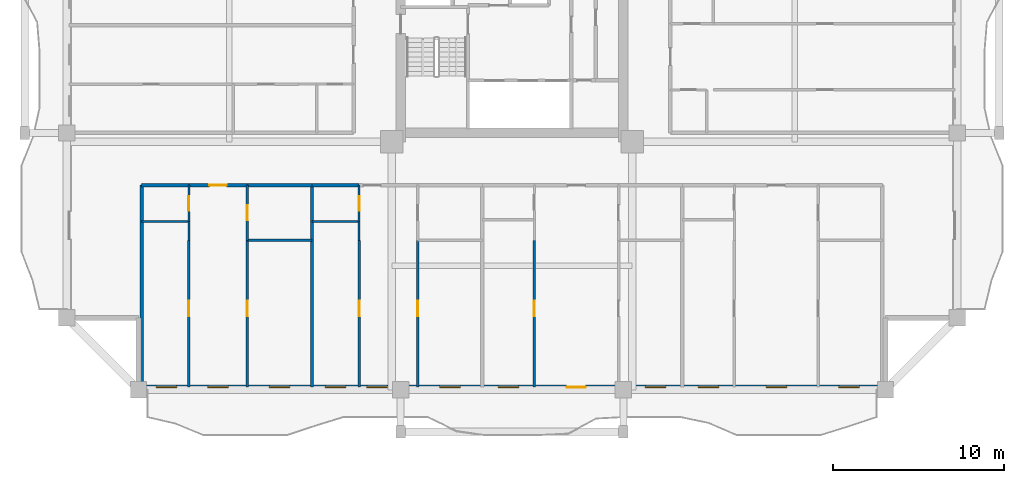
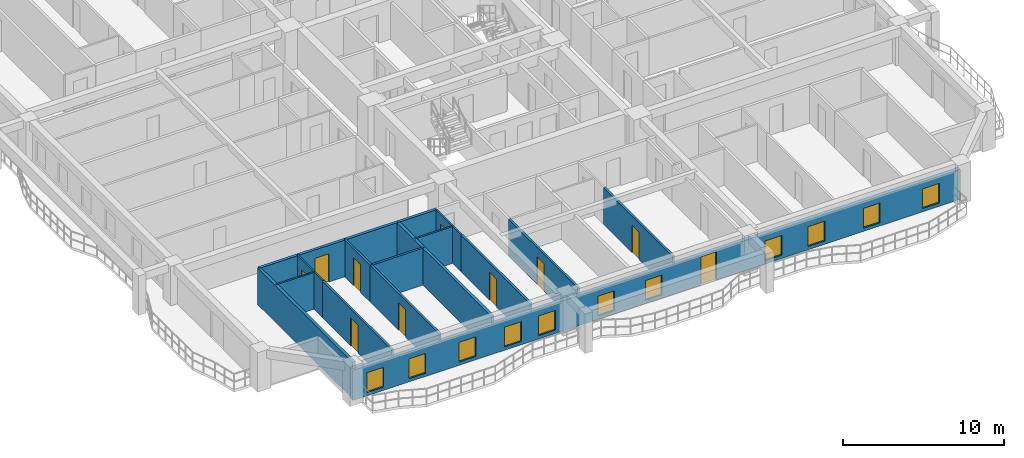
# One storey, part 2 of 14: 20 walls, 11 windows, 10 doors, 21 openings.
"""IFC4 building model written with IfcOpenShell, lengths in metres."""

from ifc_helpers import new_model, si_unit, direction, frame, frame_2d, origin, place, context, subcontext, project, spatial, rectangle, extrude, source, transform, mapped, material, layer, layer_set, type_object, element, fill, save


model = new_model("IFC4")

# Units and contexts
model_context = context("Model", 3, precision=1e-05, world=origin(), true_north=direction((0.0, 1.0)))
body_context = subcontext(model_context, "Body", "Model", "MODEL_VIEW")
ifc_project = project(units=[si_unit("LENGTHUNIT", "METRE"), si_unit("AREAUNIT", "SQUARE_METRE"), si_unit("VOLUMEUNIT", "CUBIC_METRE"), si_unit("PLANEANGLEUNIT", "RADIAN"), si_unit("MASSUNIT", "GRAM", prefix="KILO")], contexts=[model_context])

# Site, building, storey
site_placement = place(None, origin())
site = spatial("IfcSite", under=ifc_project, at=site_placement, CompositionType="ELEMENT")
building_placement = place(site_placement, origin())
building = spatial("IfcBuilding", under=site, at=building_placement, Name="Saelheon Loggia Tower", CompositionType="ELEMENT")
storey_placement = place(building_placement, frame((0.0, 0.0, 86.85009765625)))
storey = spatial("IfcBuildingStorey", under=building, at=storey_placement, Name="L27", CompositionType="ELEMENT", Elevation=86.85009765625)

# Wall, openings, windows, door
ifc_material_1 = material(Name="Architectural Precast Concrete C40/50", Category="concrete")
ifc_layer_1 = layer(ifc_material_1, 0.280029296875)
ifc_layer_set_1 = layer_set([ifc_layer_1], Name="Architectural Precast Concrete C40/50")
wall_type_1 = type_object("IfcWallType", Name="Wall_Ext_Loggia_280", PredefinedType="SOLIDWALL", material=ifc_layer_set_1)
wall_1_placement = place(storey_placement, frame((16.199951171875, 3.139892578125, 0.0), z_axis=(0.0, 0.0, 1.0), x_axis=(1.0, 0.0, 0.0)))
wall_1 = element("IfcWall", 1, at=wall_1_placement, inside=storey, type_object=wall_type_1, Name="L27 South Loggia Inner Wall", PredefinedType="SOLIDWALL", context=body_context, shape_type="SweptSolid", body=[
    extrude(rectangle(XDim=43.60009765625, YDim=0.280029296875, at=frame_2d((21.800048828125, 0.0))), origin(), (0.0, 0.0, 1.0), 2.27978515625),
])
opening_1_placement = place(wall_1_placement, frame((1.0224609375, 0.0, 0.25)))
opening_1 = element("IfcOpeningElement", 2, at=opening_1_placement, cuts=wall_1, Name="Opening WN-03", PredefinedType="OPENING", context=body_context, shape_type="SweptSolid", body=[
    extrude(rectangle(XDim=1.199951171875, YDim=1.5, at=frame_2d((0.60009765625, 0.75))), frame((0.0, 0.152099609375, 0.0), z_axis=(0.0, -1.0, 0.0), x_axis=(1.0, 0.0, 0.0)), (0.0, 0.0, 1.0), 0.303955078125),
])
opening_2_placement = place(wall_1_placement, frame((4.0380859375, 0.0, 0.25)))
opening_2 = element("IfcOpeningElement", 3, at=opening_2_placement, cuts=wall_1, Name="Opening WN-03", PredefinedType="OPENING", context=body_context, shape_type="SweptSolid", body=[
    extrude(rectangle(XDim=1.199951171875, YDim=1.5, at=frame_2d((0.60009765625, 0.75))), frame((0.0, 0.152099609375, 0.0), z_axis=(0.0, -1.0, 0.0), x_axis=(1.0, 0.0, 0.0)), (0.0, 0.0, 1.0), 0.303955078125),
])
opening_3_placement = place(wall_1_placement, frame((7.635498046875, 0.0, 0.25)))
opening_3 = element("IfcOpeningElement", 4, at=opening_3_placement, cuts=wall_1, Name="Opening WN-03", PredefinedType="OPENING", context=body_context, shape_type="SweptSolid", body=[
    extrude(rectangle(XDim=1.199951171875, YDim=1.5, at=frame_2d((0.60009765625, 0.75))), frame((0.0, 0.152099609375, 0.0), z_axis=(0.0, -1.0, 0.0), x_axis=(1.0, 0.0, 0.0)), (0.0, 0.0, 1.0), 0.303955078125),
])
opening_4_placement = place(wall_1_placement, frame((10.900146484375, 0.0, 0.25)))
opening_4 = element("IfcOpeningElement", 5, at=opening_4_placement, cuts=wall_1, Name="Opening WN-03", PredefinedType="OPENING", context=body_context, shape_type="SweptSolid", body=[
    extrude(rectangle(XDim=1.199951171875, YDim=1.5, at=frame_2d((0.60009765625, 0.75))), frame((0.0, 0.152099609375, 0.0), z_axis=(0.0, -1.0, 0.0), x_axis=(1.0, 0.0, 0.0)), (0.0, 0.0, 1.0), 0.303955078125),
])
opening_5_placement = place(wall_1_placement, frame((13.330078125, 0.0, 0.25)))
opening_5 = element("IfcOpeningElement", 6, at=opening_5_placement, cuts=wall_1, Name="Opening WN-03", PredefinedType="OPENING", context=body_context, shape_type="SweptSolid", body=[
    extrude(rectangle(XDim=1.199951171875, YDim=1.5, at=frame_2d((0.60009765625, 0.75))), frame((0.0, 0.152099609375, 0.0), z_axis=(0.0, -1.0, 0.0), x_axis=(1.0, 0.0, 0.0)), (0.0, 0.0, 1.0), 0.303955078125),
])
opening_6_placement = place(wall_1_placement, frame((17.580810546875, 0.0, 0.25)))
opening_6 = element("IfcOpeningElement", 7, at=opening_6_placement, cuts=wall_1, Name="Opening WN-03", PredefinedType="OPENING", context=body_context, shape_type="SweptSolid", body=[
    extrude(rectangle(XDim=1.199951171875, YDim=1.5, at=frame_2d((0.60009765625, 0.75))), frame((0.0, 0.152099609375, 0.0), z_axis=(0.0, -1.0, 0.0), x_axis=(1.0, 0.0, 0.0)), (0.0, 0.0, 1.0), 0.303955078125),
])
opening_7_placement = place(wall_1_placement, frame((20.988037109375, 0.0, 0.25)))
opening_7 = element("IfcOpeningElement", 8, at=opening_7_placement, cuts=wall_1, Name="Opening WN-03", PredefinedType="OPENING", context=body_context, shape_type="SweptSolid", body=[
    extrude(rectangle(XDim=1.199951171875, YDim=1.5, at=frame_2d((0.60009765625, 0.75))), frame((0.0, 0.152099609375, 0.0), z_axis=(0.0, -1.0, 0.0), x_axis=(1.0, 0.0, 0.0)), (0.0, 0.0, 1.0), 0.303955078125),
])
opening_8_placement = place(wall_1_placement, frame((26.095458984375, 0.0, 0.0), z_axis=(0.0, 0.0, 1.0), x_axis=(-1.0, 0.0, 0.0)))
opening_8 = element("IfcOpeningElement", 9, at=opening_8_placement, cuts=wall_1, Name="Opening TD1", PredefinedType="OPENING", context=body_context, shape_type="SweptSolid", body=[
    extrude(rectangle(XDim=1.10009765625, YDim=2.14990234375, at=frame_2d((0.550048828125, 1.074951171875))), frame((0.0, 0.152099609375, 0.0), z_axis=(0.0, -1.0, 0.0), x_axis=(1.0, 0.0, 0.0)), (0.0, 0.0, 1.0), 0.303955078125),
])
opening_9_placement = place(wall_1_placement, frame((29.580078125, 0.0, 0.25)))
opening_9 = element("IfcOpeningElement", 10, at=opening_9_placement, cuts=wall_1, Name="Opening WN-03", PredefinedType="OPENING", context=body_context, shape_type="SweptSolid", body=[
    extrude(rectangle(XDim=1.199951171875, YDim=1.5, at=frame_2d((0.60009765625, 0.75))), frame((0.0, 0.152099609375, 0.0), z_axis=(0.0, -1.0, 0.0), x_axis=(1.0, 0.0, 0.0)), (0.0, 0.0, 1.0), 0.303955078125),
])
opening_10_placement = place(wall_1_placement, frame((32.662841796875, 0.0, 0.25)))
opening_10 = element("IfcOpeningElement", 11, at=opening_10_placement, cuts=wall_1, Name="Opening WN-03", PredefinedType="OPENING", context=body_context, shape_type="SweptSolid", body=[
    extrude(rectangle(XDim=1.199951171875, YDim=1.5, at=frame_2d((0.60009765625, 0.75))), frame((0.0, 0.152099609375, 0.0), z_axis=(0.0, -1.0, 0.0), x_axis=(1.0, 0.0, 0.0)), (0.0, 0.0, 1.0), 0.303955078125),
])
opening_11_placement = place(wall_1_placement, frame((36.63232421875, 0.0, 0.25)))
opening_11 = element("IfcOpeningElement", 12, at=opening_11_placement, cuts=wall_1, Name="Opening WN-03", PredefinedType="OPENING", context=body_context, shape_type="SweptSolid", body=[
    extrude(rectangle(XDim=1.199951171875, YDim=1.5, at=frame_2d((0.60009765625, 0.75))), frame((0.0, 0.152099609375, 0.0), z_axis=(0.0, -1.0, 0.0), x_axis=(1.0, 0.0, 0.0)), (0.0, 0.0, 1.0), 0.303955078125),
])
opening_12_placement = place(wall_1_placement, frame((40.884521484375, 0.0, 0.25)))
opening_12 = element("IfcOpeningElement", 13, at=opening_12_placement, cuts=wall_1, Name="Opening WN-03", PredefinedType="OPENING", context=body_context, shape_type="SweptSolid", body=[
    extrude(rectangle(XDim=1.199951171875, YDim=1.5, at=frame_2d((0.60009765625, 0.75))), frame((0.0, 0.152099609375, 0.0), z_axis=(0.0, -1.0, 0.0), x_axis=(1.0, 0.0, 0.0)), (0.0, 0.0, 1.0), 0.303955078125),
])
ifc_material_2 = material(Name="Thermal-Break Aluminium and Triple Low-E Glass", Category="aluminium")
window_type = type_object("IfcWindowType", Name="Win_Bedroom_1200x1500", PartitioningType="SINGLE_PANEL", PredefinedType="WINDOW", material=ifc_material_2)
shared_shape_1 = source(origin(), body_context, "Body", "SweptSolid", [
    extrude(rectangle(XDim=1.199951171875, YDim=1.5, at=frame_2d((0.60009765625, 0.75))), frame((0.0, 0.030029296875, 0.0), z_axis=(0.0, -1.0, 0.0), x_axis=(1.0, 0.0, 0.0)), (0.0, 0.0, 1.0), 0.06005859375),
])
window_1_placement = place(opening_1_placement, origin())
window_1 = element("IfcWindow", 14, at=window_1_placement, inside=storey, type_object=window_type, Name="L27 S Dwelling Window 1", OverallHeight=1.5, OverallWidth=1.199951171875, PartitioningType="SINGLE_PANEL", PredefinedType="WINDOW", context=body_context, shape_type="MappedRepresentation", body=[
    mapped(shared_shape_1, transform((0.0, 0.0, 0.0), scale=1.0)),
])
fill(opening_1, window_1)
window_2_placement = place(opening_2_placement, origin())
window_2 = element("IfcWindow", 15, at=window_2_placement, inside=storey, type_object=window_type, Name="L27 S Dwelling Window 2", OverallHeight=1.5, OverallWidth=1.199951171875, PartitioningType="SINGLE_PANEL", PredefinedType="WINDOW", context=body_context, shape_type="MappedRepresentation", body=[
    mapped(shared_shape_1, transform((0.0, 0.0, 0.0), scale=1.0)),
])
fill(opening_2, window_2)
window_3_placement = place(opening_3_placement, origin())
window_3 = element("IfcWindow", 16, at=window_3_placement, inside=storey, type_object=window_type, Name="L27 S Dwelling Window 3", OverallHeight=1.5, OverallWidth=1.199951171875, PartitioningType="SINGLE_PANEL", PredefinedType="WINDOW", context=body_context, shape_type="MappedRepresentation", body=[
    mapped(shared_shape_1, transform((0.0, 0.0, 0.0), scale=1.0)),
])
fill(opening_3, window_3)
window_4_placement = place(opening_4_placement, origin())
window_4 = element("IfcWindow", 17, at=window_4_placement, inside=storey, type_object=window_type, Name="L27 S Dwelling Window 4", OverallHeight=1.5, OverallWidth=1.199951171875, PartitioningType="SINGLE_PANEL", PredefinedType="WINDOW", context=body_context, shape_type="MappedRepresentation", body=[
    mapped(shared_shape_1, transform((0.0, 0.0, 0.0), scale=1.0)),
])
fill(opening_4, window_4)
window_5_placement = place(opening_5_placement, origin())
window_5 = element("IfcWindow", 18, at=window_5_placement, inside=storey, type_object=window_type, Name="L27 S Dwelling Window 5", OverallHeight=1.5, OverallWidth=1.199951171875, PartitioningType="SINGLE_PANEL", PredefinedType="WINDOW", context=body_context, shape_type="MappedRepresentation", body=[
    mapped(shared_shape_1, transform((0.0, 0.0, 0.0), scale=1.0)),
])
fill(opening_5, window_5)
window_6_placement = place(opening_6_placement, origin())
window_6 = element("IfcWindow", 19, at=window_6_placement, inside=storey, type_object=window_type, Name="L27 S Dwelling Window 6", OverallHeight=1.5, OverallWidth=1.199951171875, PartitioningType="SINGLE_PANEL", PredefinedType="WINDOW", context=body_context, shape_type="MappedRepresentation", body=[
    mapped(shared_shape_1, transform((0.0, 0.0, 0.0), scale=1.0)),
])
fill(opening_6, window_6)
window_7_placement = place(opening_7_placement, origin())
window_7 = element("IfcWindow", 20, at=window_7_placement, inside=storey, type_object=window_type, Name="L27 S Dwelling Window 7", OverallHeight=1.5, OverallWidth=1.199951171875, PartitioningType="SINGLE_PANEL", PredefinedType="WINDOW", context=body_context, shape_type="MappedRepresentation", body=[
    mapped(shared_shape_1, transform((0.0, 0.0, 0.0), scale=1.0)),
])
fill(opening_7, window_7)
window_8_placement = place(opening_9_placement, origin())
window_8 = element("IfcWindow", 21, at=window_8_placement, inside=storey, type_object=window_type, Name="L27 S Dwelling Window 9", OverallHeight=1.5, OverallWidth=1.199951171875, PartitioningType="SINGLE_PANEL", PredefinedType="WINDOW", context=body_context, shape_type="MappedRepresentation", body=[
    mapped(shared_shape_1, transform((0.0, 0.0, 0.0), scale=1.0)),
])
fill(opening_9, window_8)
window_9_placement = place(opening_10_placement, origin())
window_9 = element("IfcWindow", 22, at=window_9_placement, inside=storey, type_object=window_type, Name="L27 S Dwelling Window 10", OverallHeight=1.5, OverallWidth=1.199951171875, PartitioningType="SINGLE_PANEL", PredefinedType="WINDOW", context=body_context, shape_type="MappedRepresentation", body=[
    mapped(shared_shape_1, transform((0.0, 0.0, 0.0), scale=1.0)),
])
fill(opening_10, window_9)
window_10_placement = place(opening_11_placement, origin())
window_10 = element("IfcWindow", 23, at=window_10_placement, inside=storey, type_object=window_type, Name="L27 S Dwelling Window 11", OverallHeight=1.5, OverallWidth=1.199951171875, PartitioningType="SINGLE_PANEL", PredefinedType="WINDOW", context=body_context, shape_type="MappedRepresentation", body=[
    mapped(shared_shape_1, transform((0.0, 0.0, 0.0), scale=1.0)),
])
fill(opening_11, window_10)
window_11_placement = place(opening_12_placement, origin())
window_11 = element("IfcWindow", 24, at=window_11_placement, inside=storey, type_object=window_type, Name="L27 S Dwelling Window 12", OverallHeight=1.5, OverallWidth=1.199951171875, PartitioningType="SINGLE_PANEL", PredefinedType="WINDOW", context=body_context, shape_type="MappedRepresentation", body=[
    mapped(shared_shape_1, transform((0.0, 0.0, 0.0), scale=1.0)),
])
fill(opening_12, window_11)
ifc_material_3 = material(Name="Thermal-Break Aluminium Glazed Door", Category="aluminium")
door_type_1 = type_object("IfcDoorType", Name="Door_Terrace_TD1", OperationType="NOTDEFINED", PredefinedType="DOOR", material=ifc_material_3)
shared_shape_2 = source(origin(), body_context, "Body", "SweptSolid", [
    extrude(rectangle(XDim=1.10009765625, YDim=2.14990234375, at=frame_2d((0.550048828125, 1.074951171875))), frame((0.0, 0.02490234375, 0.0), z_axis=(0.0, -1.0, 0.0), x_axis=(1.0, 0.0, 0.0)), (0.0, 0.0, 1.0), 0.050048828125),
])
door_1_placement = place(opening_8_placement, origin())
door_1 = element("IfcDoor", 25, at=door_1_placement, inside=storey, type_object=door_type_1, Name="L27 S Loggia Access Door", OperationType="SINGLE_SWING_RIGHT", OverallHeight=2.14990234375, OverallWidth=1.10009765625, PredefinedType="DOOR", context=body_context, shape_type="MappedRepresentation", body=[
    mapped(shared_shape_2, transform((0.0, 0.0, 0.0), scale=1.0)),
])
fill(opening_8, door_1)

# Wall
ifc_material_4 = material(Name="Lightweight Autoclaved Aerated Concrete Block and Acoustic Gypsum", Category="concrete")
ifc_layer_2 = layer(ifc_material_4, 0.14990234375)
ifc_layer_set_2 = layer_set([ifc_layer_2], Name="Lightweight Autoclaved Aerated Concrete Block and Acoustic Gypsum")
wall_type_2 = type_object("IfcWallType", Name="Wall_Part_150", PredefinedType="PARTITIONING", material=ifc_layer_set_2)
wall_2_placement = place(storey_placement, frame((22.5458984375, 11.72998046875, 0.0), z_axis=(0.0, 0.0, 1.0), x_axis=(1.0, 0.0, 0.0)))
element("IfcWall", 26, at=wall_2_placement, inside=storey, type_object=wall_type_2, Name="L27 S Partition V07", PredefinedType="PARTITIONING", context=body_context, shape_type="SweptSolid", body=[
    extrude(rectangle(XDim=3.779296875, YDim=0.14990234375, at=frame_2d((1.8896484375, 0.0))), origin(), (0.0, 0.0, 1.0), 2.789794921875),
])

# Wall, opening, door
wall_3_placement = place(storey_placement, frame((19.1298828125, 11.72998046875, 0.0), z_axis=(0.0, 0.0, 1.0), x_axis=(0.0, -1.0, 0.0)))
wall_3 = element("IfcWall", 27, at=wall_3_placement, inside=storey, type_object=wall_type_2, Name="L27 S Partition U10", PredefinedType="PARTITIONING", context=body_context, shape_type="SweptSolid", body=[
    extrude(rectangle(XDim=8.580078125, YDim=0.14990234375, at=frame_2d((4.2900390625, 0.0))), origin(), (0.0, 0.0, 1.0), 2.789794921875),
])
opening_13_placement = place(wall_3_placement, frame((3.5400390625, 0.0, 0.0)))
opening_13 = element("IfcOpeningElement", 28, at=opening_13_placement, cuts=wall_3, Name="Opening D-IN2", PredefinedType="OPENING", context=body_context, shape_type="SweptSolid", body=[
    extrude(rectangle(XDim=0.89990234375, YDim=2.10009765625, at=frame_2d((0.449951171875, 1.050048828125))), frame((0.0, 0.0869140625, 0.0), z_axis=(0.0, -1.0, 0.0), x_axis=(1.0, 0.0, 0.0)), (0.0, 0.0, 1.0), 0.173828125),
])
ifc_material_5 = material(Name="Engineered Oak Flush Door", Category="timber")
door_type_2 = type_object("IfcDoorType", Name="Door_Int_900", OperationType="NOTDEFINED", PredefinedType="DOOR", material=ifc_material_5)
shared_shape_3 = source(origin(), body_context, "Body", "SweptSolid", [
    extrude(rectangle(XDim=0.89990234375, YDim=2.10009765625, at=frame_2d((0.449951171875, 1.050048828125))), frame((0.0, 0.02490234375, 0.0), z_axis=(0.0, -1.0, 0.0), x_axis=(1.0, 0.0, 0.0)), (0.0, 0.0, 1.0), 0.050048828125),
])
door_2_placement = place(opening_13_placement, origin())
door_2 = element("IfcDoor", 29, at=door_2_placement, inside=storey, type_object=door_type_2, Name="Unit U01 Kitchen Door", OperationType="SINGLE_SWING_LEFT", OverallHeight=2.10009765625, OverallWidth=0.89990234375, PredefinedType="DOOR", context=body_context, shape_type="MappedRepresentation", body=[
    mapped(shared_shape_3, transform((0.0, 0.0, 0.0), scale=1.0)),
])
fill(opening_13, door_2)

wall_4_placement = place(storey_placement, frame((22.5458984375, 14.949951171875, 0.0), z_axis=(0.0, 0.0, 1.0), x_axis=(0.0, -1.0, 0.0)))
wall_4 = element("IfcWall", 30, at=wall_4_placement, inside=storey, type_object=wall_type_2, Name="L27 S Partition U11", PredefinedType="PARTITIONING", context=body_context, shape_type="SweptSolid", body=[
    extrude(rectangle(XDim=3.219970703125, YDim=0.14990234375, at=frame_2d((1.60986328125, 0.0))), origin(), (0.0, 0.0, 1.0), 2.789794921875),
])
opening_14_placement = place(wall_4_placement, frame((1.159912109375, 0.0, 0.0)))
opening_14 = element("IfcOpeningElement", 31, at=opening_14_placement, cuts=wall_4, Name="Opening D-IN2", PredefinedType="OPENING", context=body_context, shape_type="SweptSolid", body=[
    extrude(rectangle(XDim=0.89990234375, YDim=2.10009765625, at=frame_2d((0.449951171875, 1.050048828125))), frame((0.0, 0.0869140625, 0.0), z_axis=(0.0, -1.0, 0.0), x_axis=(1.0, 0.0, 0.0)), (0.0, 0.0, 1.0), 0.173828125),
])
door_3_placement = place(opening_14_placement, origin())
door_3 = element("IfcDoor", 32, at=door_3_placement, inside=storey, type_object=door_type_2, Name="Unit U01 Home Office Door", OperationType="SINGLE_SWING_RIGHT", OverallHeight=2.10009765625, OverallWidth=0.89990234375, PredefinedType="DOOR", context=body_context, shape_type="MappedRepresentation", body=[
    mapped(shared_shape_3, transform((0.0, 0.0, 0.0), scale=1.0)),
])
fill(opening_14, door_3)

wall_5_placement = place(storey_placement, frame((22.5458984375, 11.72998046875, 0.0), z_axis=(0.0, 0.0, 1.0), x_axis=(0.0, -1.0, 0.0)))
wall_5 = element("IfcWall", 33, at=wall_5_placement, inside=storey, type_object=wall_type_2, Name="L27 S Partition U12", PredefinedType="PARTITIONING", context=body_context, shape_type="SweptSolid", body=[
    extrude(rectangle(XDim=8.580078125, YDim=0.14990234375, at=frame_2d((4.2900390625, 0.0))), origin(), (0.0, 0.0, 1.0), 2.789794921875),
])
opening_15_placement = place(wall_5_placement, frame((3.5400390625, 0.0, 0.0)))
opening_15 = element("IfcOpeningElement", 34, at=opening_15_placement, cuts=wall_5, Name="Opening D-IN2", PredefinedType="OPENING", context=body_context, shape_type="SweptSolid", body=[
    extrude(rectangle(XDim=0.89990234375, YDim=2.10009765625, at=frame_2d((0.449951171875, 1.050048828125))), frame((0.0, 0.0869140625, 0.0), z_axis=(0.0, -1.0, 0.0), x_axis=(1.0, 0.0, 0.0)), (0.0, 0.0, 1.0), 0.173828125),
])
door_4_placement = place(opening_15_placement, origin())
door_4 = element("IfcDoor", 35, at=door_4_placement, inside=storey, type_object=door_type_2, Name="Unit U01 Bedroom 1 Door", OperationType="SINGLE_SWING_LEFT", OverallHeight=2.10009765625, OverallWidth=0.89990234375, PredefinedType="DOOR", context=body_context, shape_type="MappedRepresentation", body=[
    mapped(shared_shape_3, transform((0.0, 0.0, 0.0), scale=1.0)),
])
fill(opening_15, door_4)

wall_6_placement = place(storey_placement, frame((29.0751953125, 11.72998046875, 0.0), z_axis=(0.0, 0.0, 1.0), x_axis=(0.0, -1.0, 0.0)))
wall_6 = element("IfcWall", 36, at=wall_6_placement, inside=storey, type_object=wall_type_2, Name="L27 S Partition U21", PredefinedType="PARTITIONING", context=body_context, shape_type="SweptSolid", body=[
    extrude(rectangle(XDim=8.580078125, YDim=0.14990234375, at=frame_2d((4.2900390625, 0.0))), origin(), (0.0, 0.0, 1.0), 2.789794921875),
])
opening_16_placement = place(wall_6_placement, frame((3.5400390625, 0.0, 0.0)))
opening_16 = element("IfcOpeningElement", 37, at=opening_16_placement, cuts=wall_6, Name="Opening D-IN2", PredefinedType="OPENING", context=body_context, shape_type="SweptSolid", body=[
    extrude(rectangle(XDim=0.89990234375, YDim=2.10009765625, at=frame_2d((0.449951171875, 1.050048828125))), frame((0.0, 0.0869140625, 0.0), z_axis=(0.0, -1.0, 0.0), x_axis=(1.0, 0.0, 0.0)), (0.0, 0.0, 1.0), 0.173828125),
])
door_5_placement = place(opening_16_placement, origin())
door_5 = element("IfcDoor", 38, at=door_5_placement, inside=storey, type_object=door_type_2, Name="Unit U02 Kitchen Door", OperationType="SINGLE_SWING_RIGHT", OverallHeight=2.10009765625, OverallWidth=0.89990234375, PredefinedType="DOOR", context=body_context, shape_type="MappedRepresentation", body=[
    mapped(shared_shape_3, transform((0.0, 0.0, 0.0), scale=1.0)),
])
fill(opening_16, door_5)

wall_7_placement = place(storey_placement, frame((32.4912109375, 11.72998046875, 0.0), z_axis=(0.0, 0.0, 1.0), x_axis=(0.0, -1.0, 0.0)))
wall_7 = element("IfcWall", 39, at=wall_7_placement, inside=storey, type_object=wall_type_2, Name="L27 S Partition U23", PredefinedType="PARTITIONING", context=body_context, shape_type="SweptSolid", body=[
    extrude(rectangle(XDim=8.580078125, YDim=0.14990234375, at=frame_2d((4.2900390625, 0.0))), origin(), (0.0, 0.0, 1.0), 2.789794921875),
])
opening_17_placement = place(wall_7_placement, frame((3.5400390625, 0.0, 0.0)))
opening_17 = element("IfcOpeningElement", 40, at=opening_17_placement, cuts=wall_7, Name="Opening D-IN2", PredefinedType="OPENING", context=body_context, shape_type="SweptSolid", body=[
    extrude(rectangle(XDim=0.89990234375, YDim=2.10009765625, at=frame_2d((0.449951171875, 1.050048828125))), frame((0.0, 0.0869140625, 0.0), z_axis=(0.0, -1.0, 0.0), x_axis=(1.0, 0.0, 0.0)), (0.0, 0.0, 1.0), 0.173828125),
])
door_6_placement = place(opening_17_placement, origin())
door_6 = element("IfcDoor", 41, at=door_6_placement, inside=storey, type_object=door_type_2, Name="Unit U02 Bedroom 1 Door", OperationType="SINGLE_SWING_RIGHT", OverallHeight=2.10009765625, OverallWidth=0.89990234375, PredefinedType="DOOR", context=body_context, shape_type="MappedRepresentation", body=[
    mapped(shared_shape_3, transform((0.0, 0.0, 0.0), scale=1.0)),
])
fill(opening_17, door_6)

wall_8_placement = place(storey_placement, frame((39.305908203125, 11.72998046875, 0.0), z_axis=(0.0, 0.0, 1.0), x_axis=(0.0, -1.0, 0.0)))
wall_8 = element("IfcWall", 42, at=wall_8_placement, inside=storey, type_object=wall_type_2, Name="L27 S Partition U32", PredefinedType="PARTITIONING", context=body_context, shape_type="SweptSolid", body=[
    extrude(rectangle(XDim=8.580078125, YDim=0.14990234375, at=frame_2d((4.2900390625, 0.0))), origin(), (0.0, 0.0, 1.0), 2.789794921875),
])
opening_18_placement = place(wall_8_placement, frame((3.5400390625, 0.0, 0.0)))
opening_18 = element("IfcOpeningElement", 43, at=opening_18_placement, cuts=wall_8, Name="Opening D-IN2", PredefinedType="OPENING", context=body_context, shape_type="SweptSolid", body=[
    extrude(rectangle(XDim=0.89990234375, YDim=2.10009765625, at=frame_2d((0.449951171875, 1.050048828125))), frame((0.0, 0.0869140625, 0.0), z_axis=(0.0, -1.0, 0.0), x_axis=(1.0, 0.0, 0.0)), (0.0, 0.0, 1.0), 0.173828125),
])
door_7_placement = place(opening_18_placement, origin())
door_7 = element("IfcDoor", 44, at=door_7_placement, inside=storey, type_object=door_type_2, Name="Unit U03 Bedroom 2 Door", OperationType="SINGLE_SWING_LEFT", OverallHeight=2.10009765625, OverallWidth=0.89990234375, PredefinedType="DOOR", context=body_context, shape_type="MappedRepresentation", body=[
    mapped(shared_shape_3, transform((0.0, 0.0, 0.0), scale=1.0)),
])
fill(opening_18, door_7)

# Walls
ifc_material_6 = material(Name="Double Acoustic Stud and Fireboard Partition", Category="gypsum")
ifc_layer_3 = layer(ifc_material_6, 0.199951171875)
ifc_layer_set_3 = layer_set([ifc_layer_3], Name="Double Acoustic Stud and Fireboard Partition")
wall_type_3 = type_object("IfcWallType", Name="Wall_Party_200", PredefinedType="PARTITIONING", material=ifc_layer_set_3)
wall_9_placement = place(storey_placement, frame((16.3798828125, 14.949951171875, 0.0), z_axis=(0.0, 0.0, 1.0), x_axis=(0.0, -1.0, 0.0)))
element("IfcWall", 45, at=wall_9_placement, inside=storey, type_object=wall_type_3, Name="L27 S Partition U01", PredefinedType="PARTITIONING", context=body_context, shape_type="SweptSolid", body=[
    extrude(rectangle(XDim=11.800048828125, YDim=0.199951171875, at=frame_2d((5.89990234375, 0.0))), origin(), (0.0, 0.0, 1.0), 2.789794921875),
])
wall_10_placement = place(storey_placement, frame((16.3798828125, 14.949951171875, 0.0), z_axis=(0.0, 0.0, 1.0), x_axis=(1.0, 0.0, 0.0)))
element("IfcWall", 46, at=wall_10_placement, inside=storey, type_object=wall_type_3, Name="L27 S Partition V03", PredefinedType="PARTITIONING", context=body_context, shape_type="SweptSolid", body=[
    extrude(rectangle(XDim=2.75, YDim=0.199951171875, at=frame_2d((1.375, 0.0))), origin(), (0.0, 0.0, 1.0), 2.789794921875),
])

# Wall, opening, door
wall_11_placement = place(storey_placement, frame((19.1298828125, 14.949951171875, 0.0), z_axis=(0.0, 0.0, 1.0), x_axis=(1.0, 0.0, 0.0)))
wall_11 = element("IfcWall", 47, at=wall_11_placement, inside=storey, type_object=wall_type_3, Name="L27 S Partition V04", PredefinedType="PARTITIONING", context=body_context, shape_type="SweptSolid", body=[
    extrude(rectangle(XDim=3.416015625, YDim=0.199951171875, at=frame_2d((1.7080078125, 0.0))), origin(), (0.0, 0.0, 1.0), 2.789794921875),
])
opening_19_placement = place(wall_11_placement, frame((1.2080078125, 0.0, 0.0)))
opening_19 = element("IfcOpeningElement", 48, at=opening_19_placement, cuts=wall_11, Name="Opening D-FD1", PredefinedType="OPENING", context=body_context, shape_type="SweptSolid", body=[
    extrude(rectangle(XDim=1.0, YDim=2.14990234375, at=frame_2d((0.5, 1.074951171875))), frame((0.0, 0.112060546875, 0.0), z_axis=(0.0, -1.0, 0.0), x_axis=(1.0, 0.0, 0.0)), (0.0, 0.0, 1.0), 0.223876953125),
])
ifc_material_7 = material(Name="Fire-Rated Engineered Timber Entrance Door", Category="wood")
door_type_3 = type_object("IfcDoorType", Name="Door_Flat_FD30S", OperationType="NOTDEFINED", PredefinedType="DOOR", material=ifc_material_7)
shared_shape_4 = source(origin(), body_context, "Body", "SweptSolid", [
    extrude(rectangle(XDim=1.0, YDim=2.14990234375, at=frame_2d((0.5, 1.074951171875))), frame((0.0, 0.02490234375, 0.0), z_axis=(0.0, -1.0, 0.0), x_axis=(1.0, 0.0, 0.0)), (0.0, 0.0, 1.0), 0.050048828125),
])
door_8_placement = place(opening_19_placement, origin())
door_8 = element("IfcDoor", 49, at=door_8_placement, inside=storey, type_object=door_type_3, Name="Unit U01 Entrance Door", OperationType="SINGLE_SWING_LEFT", OverallHeight=2.14990234375, OverallWidth=1.0, PredefinedType="DOOR", context=body_context, shape_type="MappedRepresentation", body=[
    mapped(shared_shape_4, transform((0.0, 0.0, 0.0), scale=1.0)),
])
fill(opening_19, door_8)

# Walls
wall_12_placement = place(storey_placement, frame((22.5458984375, 14.949951171875, 0.0), z_axis=(0.0, 0.0, 1.0), x_axis=(1.0, 0.0, 0.0)))
element("IfcWall", 50, at=wall_12_placement, inside=storey, type_object=wall_type_3, Name="L27 S Partition V05", PredefinedType="PARTITIONING", context=body_context, shape_type="SweptSolid", body=[
    extrude(rectangle(XDim=3.779296875, YDim=0.199951171875, at=frame_2d((1.8896484375, 0.0))), origin(), (0.0, 0.0, 1.0), 2.789794921875),
])
wall_13_placement = place(storey_placement, frame((26.3251953125, 14.949951171875, 0.0), z_axis=(0.0, 0.0, 1.0), x_axis=(0.0, -1.0, 0.0)))
element("IfcWall", 51, at=wall_13_placement, inside=storey, type_object=wall_type_3, Name="L27 S Partition U13", PredefinedType="PARTITIONING", context=body_context, shape_type="SweptSolid", body=[
    extrude(rectangle(XDim=11.800048828125, YDim=0.199951171875, at=frame_2d((5.89990234375, 0.0))), origin(), (0.0, 0.0, 1.0), 2.789794921875),
])
wall_14_placement = place(storey_placement, frame((26.3251953125, 14.949951171875, 0.0), z_axis=(0.0, 0.0, 1.0), x_axis=(1.0, 0.0, 0.0)))
element("IfcWall", 52, at=wall_14_placement, inside=storey, type_object=wall_type_3, Name="L27 S Partition V14", PredefinedType="PARTITIONING", context=body_context, shape_type="SweptSolid", body=[
    extrude(rectangle(XDim=2.75, YDim=0.199951171875, at=frame_2d((1.375, 0.0))), origin(), (0.0, 0.0, 1.0), 2.789794921875),
])
ifc_material_8 = material(Name="Moisture-Resistant Cement Board Partition", Category="gypsum")
ifc_layer_4 = layer(ifc_material_8, 0.1201171875)
ifc_layer_set_4 = layer_set([ifc_layer_4], Name="Moisture-Resistant Cement Board Partition")
wall_type_4 = type_object("IfcWallType", Name="Wall_WetPart_120", PredefinedType="PARTITIONING", material=ifc_layer_set_4)
wall_15_placement = place(storey_placement, frame((16.3798828125, 12.830078125, 0.0), z_axis=(0.0, 0.0, 1.0), x_axis=(1.0, 0.0, 0.0)))
element("IfcWall", 53, at=wall_15_placement, inside=storey, type_object=wall_type_4, Name="L27 S Partition V06", PredefinedType="PARTITIONING", context=body_context, shape_type="SweptSolid", body=[
    extrude(rectangle(XDim=2.75, YDim=0.1201171875, at=frame_2d((1.375, 0.0))), origin(), (0.0, 0.0, 1.0), 2.789794921875),
])

# Wall, opening, door
wall_16_placement = place(storey_placement, frame((19.1298828125, 14.949951171875, 0.0), z_axis=(0.0, 0.0, 1.0), x_axis=(0.0, -1.0, 0.0)))
wall_16 = element("IfcWall", 54, at=wall_16_placement, inside=storey, type_object=wall_type_4, Name="L27 S Partition U08", PredefinedType="PARTITIONING", context=body_context, shape_type="SweptSolid", body=[
    extrude(rectangle(XDim=2.119873046875, YDim=0.1201171875, at=frame_2d((1.06005859375, 0.0))), origin(), (0.0, 0.0, 1.0), 2.789794921875),
])
opening_20_placement = place(wall_16_placement, frame((0.635009765625, 0.0, 0.0)))
opening_20 = element("IfcOpeningElement", 55, at=opening_20_placement, cuts=wall_16, Name="Opening D-BT1", PredefinedType="OPENING", context=body_context, shape_type="SweptSolid", body=[
    extrude(rectangle(XDim=0.85009765625, YDim=2.050048828125, at=frame_2d((0.425048828125, 1.02490234375))), frame((0.0, 0.072021484375, 0.0), z_axis=(0.0, -1.0, 0.0), x_axis=(1.0, 0.0, 0.0)), (0.0, 0.0, 1.0), 0.14404296875),
])
ifc_material_9 = material(Name="Moisture-Resistant Laminate Timber Door", Category="wood")
door_type_4 = type_object("IfcDoorType", Name="Door_Bath_850", OperationType="NOTDEFINED", PredefinedType="DOOR", material=ifc_material_9)
shared_shape_5 = source(origin(), body_context, "Body", "SweptSolid", [
    extrude(rectangle(XDim=0.85009765625, YDim=2.050048828125, at=frame_2d((0.425048828125, 1.02490234375))), frame((0.0, 0.02490234375, 0.0), z_axis=(0.0, -1.0, 0.0), x_axis=(1.0, 0.0, 0.0)), (0.0, 0.0, 1.0), 0.050048828125),
])
door_9_placement = place(opening_20_placement, origin())
door_9 = element("IfcDoor", 56, at=door_9_placement, inside=storey, type_object=door_type_4, Name="Unit U01 Bathroom Door", OperationType="SINGLE_SWING_RIGHT", OverallHeight=2.050048828125, OverallWidth=0.85009765625, PredefinedType="DOOR", context=body_context, shape_type="MappedRepresentation", body=[
    mapped(shared_shape_5, transform((0.0, 0.0, 0.0), scale=1.0)),
])
fill(opening_20, door_9)

# Walls
wall_17_placement = place(storey_placement, frame((19.1298828125, 12.830078125, 0.0), z_axis=(0.0, 0.0, 1.0), x_axis=(0.0, -1.0, 0.0)))
element("IfcWall", 57, at=wall_17_placement, inside=storey, type_object=wall_type_4, Name="L27 S Partition U09", PredefinedType="PARTITIONING", context=body_context, shape_type="SweptSolid", body=[
    extrude(rectangle(XDim=1.10009765625, YDim=0.1201171875, at=frame_2d((0.550048828125, 0.0))), origin(), (0.0, 0.0, 1.0), 2.789794921875),
])
wall_18_placement = place(storey_placement, frame((26.3251953125, 12.830078125, 0.0), z_axis=(0.0, 0.0, 1.0), x_axis=(1.0, 0.0, 0.0)))
element("IfcWall", 58, at=wall_18_placement, inside=storey, type_object=wall_type_4, Name="L27 S Partition V17", PredefinedType="PARTITIONING", context=body_context, shape_type="SweptSolid", body=[
    extrude(rectangle(XDim=2.75, YDim=0.1201171875, at=frame_2d((1.375, 0.0))), origin(), (0.0, 0.0, 1.0), 2.789794921875),
])

# Wall, opening, door
wall_19_placement = place(storey_placement, frame((29.0751953125, 14.949951171875, 0.0), z_axis=(0.0, 0.0, 1.0), x_axis=(0.0, -1.0, 0.0)))
wall_19 = element("IfcWall", 59, at=wall_19_placement, inside=storey, type_object=wall_type_4, Name="L27 S Partition U19", PredefinedType="PARTITIONING", context=body_context, shape_type="SweptSolid", body=[
    extrude(rectangle(XDim=2.119873046875, YDim=0.1201171875, at=frame_2d((1.06005859375, 0.0))), origin(), (0.0, 0.0, 1.0), 2.789794921875),
])
opening_21_placement = place(wall_19_placement, frame((0.635009765625, 0.0, 0.0)))
opening_21 = element("IfcOpeningElement", 60, at=opening_21_placement, cuts=wall_19, Name="Opening D-BT1", PredefinedType="OPENING", context=body_context, shape_type="SweptSolid", body=[
    extrude(rectangle(XDim=0.85009765625, YDim=2.050048828125, at=frame_2d((0.425048828125, 1.02490234375))), frame((0.0, 0.072021484375, 0.0), z_axis=(0.0, -1.0, 0.0), x_axis=(1.0, 0.0, 0.0)), (0.0, 0.0, 1.0), 0.14404296875),
])
door_10_placement = place(opening_21_placement, origin())
door_10 = element("IfcDoor", 61, at=door_10_placement, inside=storey, type_object=door_type_4, Name="Unit U02 Bathroom Door", OperationType="SINGLE_SWING_LEFT", OverallHeight=2.050048828125, OverallWidth=0.85009765625, PredefinedType="DOOR", context=body_context, shape_type="MappedRepresentation", body=[
    mapped(shared_shape_5, transform((0.0, 0.0, 0.0), scale=1.0)),
])
fill(opening_21, door_10)

# Wall
wall_20_placement = place(storey_placement, frame((29.0751953125, 12.830078125, 0.0), z_axis=(0.0, 0.0, 1.0), x_axis=(0.0, -1.0, 0.0)))
element("IfcWall", 62, at=wall_20_placement, inside=storey, type_object=wall_type_4, Name="L27 S Partition U20", PredefinedType="PARTITIONING", context=body_context, shape_type="SweptSolid", body=[
    extrude(rectangle(XDim=1.10009765625, YDim=0.1201171875, at=frame_2d((0.550048828125, 0.0))), origin(), (0.0, 0.0, 1.0), 2.789794921875),
])

save(model, "model.ifc")
